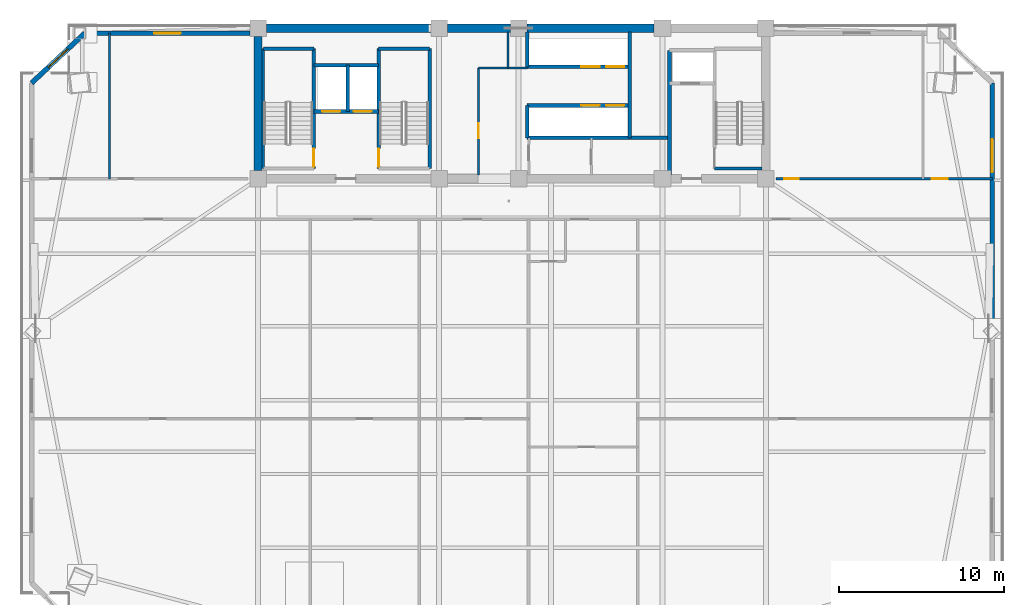
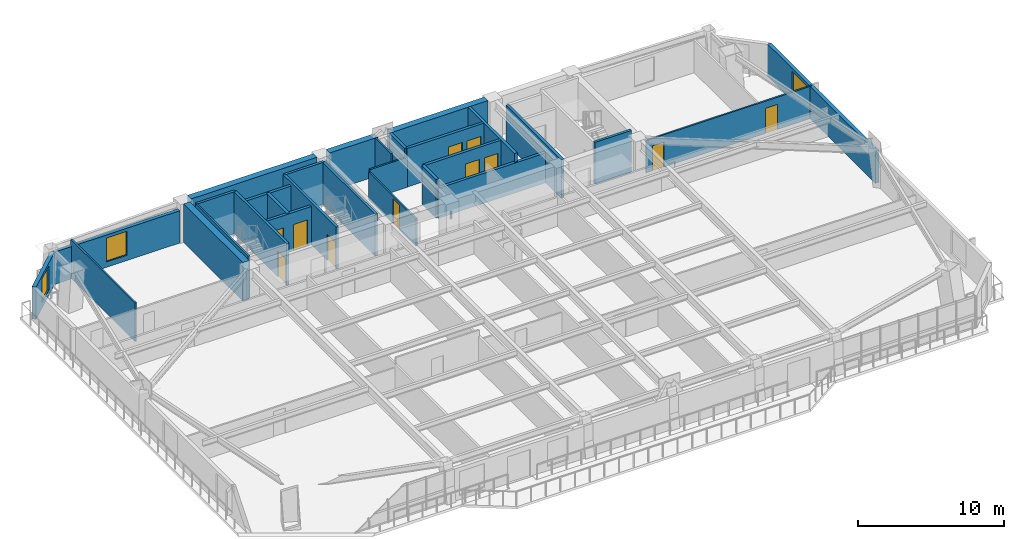
# One storey, part 9 of 15: 29 walls, 11 doors, 3 windows, 14 openings.
"""IFC4 building model written with IfcOpenShell, lengths in metres."""

from ifc_helpers import new_model, si_unit, direction, frame, frame_2d, origin, place, context, subcontext, project, spatial, rectangle, extrude, source, transform, mapped, material, layer, layer_set, type_object, element, fill, save


model = new_model("IFC4")

# Units and contexts
model_context = context("Model", 3, precision=1e-05, world=origin(), true_north=direction((0.0, 1.0)))
body_context = subcontext(model_context, "Body", "Model", "MODEL_VIEW")
ifc_project = project(units=[si_unit("LENGTHUNIT", "METRE"), si_unit("AREAUNIT", "SQUARE_METRE"), si_unit("VOLUMEUNIT", "CUBIC_METRE"), si_unit("PLANEANGLEUNIT", "RADIAN"), si_unit("MASSUNIT", "GRAM", prefix="KILO")], contexts=[model_context])

# Site, building, storey
site_placement = place(None, origin())
site = spatial("IfcSite", under=ifc_project, at=site_placement, CompositionType="ELEMENT")
building_placement = place(site_placement, origin())
building = spatial("IfcBuilding", under=site, at=building_placement, Name="Giltprow Tower", CompositionType="ELEMENT")
storey_placement = place(building_placement, frame((0.0, 0.0, 187.699951171875)))
storey = spatial("IfcBuildingStorey", under=building, at=storey_placement, Name="L47", CompositionType="ELEMENT", Elevation=187.699951171875)

# Wall, opening, window
ifc_material_1 = material(Name="Precast concrete C40", Category="concrete")
ifc_layer_1 = layer(ifc_material_1, 0.300048828125, Name="Precast concrete C40")
ifc_layer_set_1 = layer_set([ifc_layer_1], Name="Precast concrete C40")
wall_type_1 = type_object("IfcWallType", Name="EW-NOTCH-CHAMFER-300", PredefinedType="SOLIDWALL", material=ifc_layer_set_1)
wall_1_placement = place(storey_placement, frame((9.364990234375, 46.25, 0.0), z_axis=(0.0, 0.0, 1.0), x_axis=(-0.72945417668, -0.684029680733, 0.0)))
wall_1 = element("IfcWall", 1, at=wall_1_placement, inside=storey, type_object=wall_type_1, Name="L47 Corner Notch Wall NW", PredefinedType="SOLIDWALL", context=body_context, shape_type="SweptSolid", body=[
    extrude(rectangle(XDim=4.40185546875, YDim=0.300048828125, at=frame_2d((2.200927734375, 0.0))), origin(), (0.0, 0.0, 1.0), 2.699951171875),
])
opening_1_placement = place(wall_1_placement, frame((1.40087890625, 0.0, 0.449951171875)))
opening_1 = element("IfcOpeningElement", 2, at=opening_1_placement, cuts=wall_1, Name="Opening WN17", PredefinedType="OPENING", context=body_context, shape_type="SweptSolid", body=[
    extrude(rectangle(XDim=1.60009765625, YDim=2.0, at=frame_2d((0.800048828125, 1.0))), frame((0.0, 0.159912109375, 0.0), z_axis=(0.0, -1.0, 0.0), x_axis=(1.0, 0.0, 0.0)), (0.0, 0.0, 1.0), 0.320068359375),
])
ifc_material_2 = material(Name="Insulated glass", Category="glass")
window_type_1 = type_object("IfcWindowType", Name="WN-COR-1600x2000", PartitioningType="SINGLE_PANEL", PredefinedType="WINDOW", material=ifc_material_2)
shared_shape_1 = source(origin(), body_context, "Body", "SweptSolid", [
    extrude(rectangle(XDim=1.60009765625, YDim=2.0, at=frame_2d((0.800048828125, 1.0))), frame((0.0, 0.030029296875, 0.0), z_axis=(0.0, -1.0, 0.0), x_axis=(1.0, 0.0, 0.0)), (0.0, 0.0, 1.0), 0.06005859375),
])
window_1_placement = place(opening_1_placement, origin())
window_1 = element("IfcWindow", 3, at=window_1_placement, inside=storey, type_object=window_type_1, Name="L47 Corner Notch Window NW", OverallHeight=2.0, OverallWidth=1.60009765625, PartitioningType="SINGLE_PANEL", PredefinedType="WINDOW", context=body_context, shape_type="MappedRepresentation", body=[
    mapped(shared_shape_1, transform((0.0, 0.0, 0.0), x_axis=(1.0, 0.0, 0.0), y_axis=(0.0, 1.0, 0.0), z_axis=(0.0, 0.0, 1.0), scale=1.0)),
])
fill(opening_1, window_1)

ifc_layer_2 = layer(ifc_material_1, 0.280029296875, Name="Precast concrete C40")
ifc_layer_set_2 = layer_set([ifc_layer_2], Name="Precast concrete C40")
wall_type_2 = type_object("IfcWallType", Name="EW-TOW-BRONZE-280", PredefinedType="SOLIDWALL", material=ifc_layer_set_2)
wall_2_placement = place(storey_placement, frame((64.2470703125, 28.47705078125, 0.0), z_axis=(0.0, 0.0, 1.0), x_axis=(0.0, 1.0, 0.0)))
wall_2 = element("IfcWall", 4, at=wall_2_placement, inside=storey, type_object=wall_type_2, Name="L47 E Wing Masonry Wall 2", PredefinedType="SOLIDWALL", context=body_context, shape_type="SweptSolid", body=[
    extrude(rectangle(XDim=14.761962890625, YDim=0.280029296875, at=frame_2d((7.380859375, 0.0))), origin(), (0.0, 0.0, 1.0), 2.699951171875),
])
opening_2_placement = place(wall_2_placement, frame((9.3779296875, 0.0, 0.449951171875)))
opening_2 = element("IfcOpeningElement", 5, at=opening_2_placement, cuts=wall_2, Name="Opening WN21", PredefinedType="OPENING", context=body_context, shape_type="SweptSolid", body=[
    extrude(rectangle(XDim=2.0, YDim=2.0, at=frame_2d((1.0, 1.0))), frame((0.0, 0.14990234375, 0.0), z_axis=(0.0, -1.0, 0.0), x_axis=(1.0, 0.0, 0.0)), (0.0, 0.0, 1.0), 0.300048828125),
])
window_type_2 = type_object("IfcWindowType", Name="WN-HTL-2000x2000", PartitioningType="DOUBLE_PANEL_VERTICAL", PredefinedType="WINDOW", material=ifc_material_2)
shared_shape_2 = source(origin(), body_context, "Body", "SweptSolid", [
    extrude(rectangle(XDim=2.0, YDim=2.0, at=frame_2d((1.0, 1.0))), frame((0.0, 0.030029296875, 0.0), z_axis=(0.0, -1.0, 0.0), x_axis=(1.0, 0.0, 0.0)), (0.0, 0.0, 1.0), 0.06005859375),
])
window_2_placement = place(opening_2_placement, origin())
window_2 = element("IfcWindow", 6, at=window_2_placement, inside=storey, type_object=window_type_2, Name="L47 E Wing Window 2-1", OverallHeight=2.0, OverallWidth=2.0, PartitioningType="SINGLE_PANEL", PredefinedType="WINDOW", context=body_context, shape_type="MappedRepresentation", body=[
    mapped(shared_shape_2, transform((0.0, 0.0, 0.0), x_axis=(1.0, 0.0, 0.0), y_axis=(0.0, 1.0, 0.0), z_axis=(0.0, 0.0, 1.0), scale=1.0)),
])
fill(opening_2, window_2)

wall_3_placement = place(storey_placement, frame((9.364990234375, 46.25, 0.0), z_axis=(0.0, 0.0, 1.0), x_axis=(1.0, 0.0, 0.0)))
wall_3 = element("IfcWall", 7, at=wall_3_placement, inside=storey, type_object=wall_type_2, Name="L47 North-West Wing Wall", PredefinedType="SOLIDWALL", context=body_context, shape_type="SweptSolid", body=[
    extrude(rectangle(XDim=9.985107421875, YDim=0.280029296875, at=frame_2d((4.99267578125, 0.0))), origin(), (0.0, 0.0, 1.0), 2.699951171875),
])
opening_3_placement = place(wall_3_placement, frame((4.193115234375, 0.0, 0.449951171875)))
opening_3 = element("IfcOpeningElement", 8, at=opening_3_placement, cuts=wall_3, Name="Opening WN17", PredefinedType="OPENING", context=body_context, shape_type="SweptSolid", body=[
    extrude(rectangle(XDim=1.60009765625, YDim=2.0, at=frame_2d((0.800048828125, 1.0))), frame((0.0, 0.14990234375, 0.0), z_axis=(0.0, -1.0, 0.0), x_axis=(1.0, 0.0, 0.0)), (0.0, 0.0, 1.0), 0.300048828125),
])
window_3_placement = place(opening_3_placement, origin())
window_3 = element("IfcWindow", 9, at=window_3_placement, inside=storey, type_object=window_type_1, Name="L47 North-West Window", OverallHeight=2.0, OverallWidth=1.60009765625, PartitioningType="SINGLE_PANEL", PredefinedType="WINDOW", context=body_context, shape_type="MappedRepresentation", body=[
    mapped(shared_shape_1, transform((0.0, 0.0, 0.0), x_axis=(1.0, 0.0, 0.0), y_axis=(0.0, 1.0, 0.0), z_axis=(0.0, 0.0, 1.0), scale=1.0)),
])
fill(opening_3, window_3)

# Wall, openings, doors
ifc_material_3 = material(Name="Concrete C40", Category="concrete")
ifc_layer_3 = layer(ifc_material_3, 0.219970703125, Name="Concrete C40")
ifc_layer_set_3 = layer_set([ifc_layer_3], Name="Concrete C40")
wall_type_3 = type_object("IfcWallType", Name="IW-SHAFT-220", PredefinedType="SOLIDWALL", material=ifc_layer_set_3)
wall_4_placement = place(storey_placement, frame((23.219970703125, 41.52001953125, 0.0), z_axis=(0.0, 0.0, 1.0), x_axis=(1.0, 0.0, 0.0)))
wall_4 = element("IfcWall", 10, at=wall_4_placement, inside=storey, type_object=wall_type_3, Name="L47 FFL1 and Service Lift Front Wall", PredefinedType="SOLIDWALL", context=body_context, shape_type="SweptSolid", body=[
    extrude(rectangle(XDim=3.919921875, YDim=0.219970703125, at=frame_2d((1.9599609375, 0.0))), origin(), (0.0, 0.0, 1.0), 3.219970703125),
])
opening_4_placement = place(wall_4_placement, frame((0.5, 0.0, 0.0)))
opening_4 = element("IfcOpeningElement", 11, at=opening_4_placement, cuts=wall_4, Name="Opening LD-11", PredefinedType="OPENING", context=body_context, shape_type="SweptSolid", body=[
    extrude(rectangle(XDim=1.10009765625, YDim=2.199951171875, at=frame_2d((0.550048828125, 1.10009765625))), frame((0.0, 0.119873046875, 0.0), z_axis=(0.0, -1.0, 0.0), x_axis=(1.0, 0.0, 0.0)), (0.0, 0.0, 1.0), 0.239990234375),
])
opening_5_placement = place(wall_4_placement, frame((2.39990234375, 0.0, 0.0)))
opening_5 = element("IfcOpeningElement", 12, at=opening_5_placement, cuts=wall_4, Name="Opening LD-11", PredefinedType="OPENING", context=body_context, shape_type="SweptSolid", body=[
    extrude(rectangle(XDim=1.10009765625, YDim=2.199951171875, at=frame_2d((0.550048828125, 1.10009765625))), frame((0.0, 0.119873046875, 0.0), z_axis=(0.0, -1.0, 0.0), x_axis=(1.0, 0.0, 0.0)), (0.0, 0.0, 1.0), 0.239990234375),
])
ifc_material_4 = material(Name="Stainless steel", Category="steel")
door_type_1 = type_object("IfcDoorType", Name="DR-LIFT-LD1100", OperationType="SLIDING_TO_LEFT", PredefinedType="DOOR", material=ifc_material_4)
shared_shape_3 = source(origin(), body_context, "Body", "SweptSolid", [
    extrude(rectangle(XDim=1.10009765625, YDim=2.199951171875, at=frame_2d((0.550048828125, 1.10009765625))), frame((0.0, 0.02490234375, 0.0), z_axis=(0.0, -1.0, 0.0), x_axis=(1.0, 0.0, 0.0)), (0.0, 0.0, 1.0), 0.050048828125),
])
door_1_placement = place(opening_4_placement, origin())
door_1 = element("IfcDoor", 13, at=door_1_placement, inside=storey, type_object=door_type_1, Name="L47 FFL1 Landing Door", OperationType="SLIDING_TO_LEFT", OverallHeight=2.199951171875, OverallWidth=1.10009765625, PredefinedType="DOOR", context=body_context, shape_type="MappedRepresentation", body=[
    mapped(shared_shape_3, transform((0.0, 0.0, 0.0), x_axis=(1.0, 0.0, 0.0), y_axis=(0.0, 1.0, 0.0), z_axis=(0.0, 0.0, 1.0), scale=1.0)),
])
fill(opening_4, door_1)
door_2_placement = place(opening_5_placement, origin())
door_2 = element("IfcDoor", 14, at=door_2_placement, inside=storey, type_object=door_type_1, Name="L47 SVL1 Landing Door", OperationType="SLIDING_TO_LEFT", OverallHeight=2.199951171875, OverallWidth=1.10009765625, PredefinedType="DOOR", context=body_context, shape_type="MappedRepresentation", body=[
    mapped(shared_shape_3, transform((0.0, 0.0, 0.0), x_axis=(1.0, 0.0, 0.0), y_axis=(0.0, 1.0, 0.0), z_axis=(0.0, 0.0, 1.0), scale=1.0)),
])
fill(opening_5, door_2)

# Walls
wall_5_placement = place(storey_placement, frame((25.260009765625, 41.52001953125, 0.0), z_axis=(0.0, 0.0, 1.0), x_axis=(0.0, 1.0, 0.0)))
element("IfcWall", 15, at=wall_5_placement, inside=storey, type_object=wall_type_3, Name="L47 FFL1-SVL1 Shaft Divider", PredefinedType="SOLIDWALL", context=body_context, shape_type="SweptSolid", body=[
    extrude(rectangle(XDim=2.800048828125, YDim=0.219970703125, at=frame_2d((1.39990234375, 0.0))), origin(), (0.0, 0.0, 1.0), 3.219970703125),
])
wall_6_placement = place(storey_placement, frame((23.219970703125, 44.320068359375, 0.0), z_axis=(0.0, 0.0, 1.0), x_axis=(1.0, 0.0, 0.0)))
element("IfcWall", 16, at=wall_6_placement, inside=storey, type_object=wall_type_3, Name="L47 FFL1-SVL1 Back Shaft Wall", PredefinedType="SOLIDWALL", context=body_context, shape_type="SweptSolid", body=[
    extrude(rectangle(XDim=3.919921875, YDim=0.219970703125, at=frame_2d((1.9599609375, 0.0))), origin(), (0.0, 0.0, 1.0), 3.219970703125),
])
wall_7_placement = place(storey_placement, frame((44.719970703125, 37.679931640625, 0.0), z_axis=(0.0, 0.0, 1.0), x_axis=(0.0, 1.0, 0.0)))
element("IfcWall", 17, at=wall_7_placement, inside=storey, type_object=wall_type_3, Name="L47 East Firefighting Lobby West Wall", PredefinedType="SOLIDWALL", context=body_context, shape_type="SweptSolid", body=[
    extrude(rectangle(XDim=7.5400390625, YDim=0.219970703125, at=frame_2d((3.77001953125, 0.0))), origin(), (0.0, 0.0, 1.0), 3.219970703125),
])

# Wall, openings, doors
wall_8_placement = place(storey_placement, frame((36.1201171875, 44.219970703125, 0.0), z_axis=(0.0, 0.0, 1.0), x_axis=(1.0, 0.0, 0.0)))
wall_8 = element("IfcWall", 18, at=wall_8_placement, inside=storey, type_object=wall_type_3, Name="L47 Mid-Rise Lift Shaft Front Wall N", PredefinedType="SOLIDWALL", context=body_context, shape_type="SweptSolid", body=[
    extrude(rectangle(XDim=6.199951171875, YDim=0.219970703125, at=frame_2d((3.10009765625, 0.0))), origin(), (0.0, 0.0, 1.0), 3.219970703125),
])
opening_6_placement = place(wall_8_placement, frame((3.280029296875, 0.0, 0.0)))
opening_6 = element("IfcOpeningElement", 19, at=opening_6_placement, cuts=wall_8, Name="Opening LD-11", PredefinedType="OPENING", context=body_context, shape_type="SweptSolid", body=[
    extrude(rectangle(XDim=1.10009765625, YDim=2.199951171875, at=frame_2d((0.550048828125, 1.10009765625))), frame((0.0, 0.119873046875, 0.0), z_axis=(0.0, -1.0, 0.0), x_axis=(1.0, 0.0, 0.0)), (0.0, 0.0, 1.0), 0.239990234375),
])
opening_7_placement = place(wall_8_placement, frame((4.77001953125, 0.0, 0.0)))
opening_7 = element("IfcOpeningElement", 20, at=opening_7_placement, cuts=wall_8, Name="Opening LD-11", PredefinedType="OPENING", context=body_context, shape_type="SweptSolid", body=[
    extrude(rectangle(XDim=1.10009765625, YDim=2.199951171875, at=frame_2d((0.550048828125, 1.10009765625))), frame((0.0, 0.119873046875, 0.0), z_axis=(0.0, -1.0, 0.0), x_axis=(1.0, 0.0, 0.0)), (0.0, 0.0, 1.0), 0.239990234375),
])
door_3_placement = place(opening_6_placement, origin())
door_3 = element("IfcDoor", 21, at=door_3_placement, inside=storey, type_object=door_type_1, Name="L47 PL-M1 Landing Door", OperationType="SLIDING_TO_LEFT", OverallHeight=2.199951171875, OverallWidth=1.10009765625, PredefinedType="DOOR", context=body_context, shape_type="MappedRepresentation", body=[
    mapped(shared_shape_3, transform((0.0, 0.0, 0.0), x_axis=(1.0, 0.0, 0.0), y_axis=(0.0, 1.0, 0.0), z_axis=(0.0, 0.0, 1.0), scale=1.0)),
])
fill(opening_6, door_3)
door_4_placement = place(opening_7_placement, origin())
door_4 = element("IfcDoor", 22, at=door_4_placement, inside=storey, type_object=door_type_1, Name="L47 PL-M2 Landing Door", OperationType="SLIDING_TO_LEFT", OverallHeight=2.199951171875, OverallWidth=1.10009765625, PredefinedType="DOOR", context=body_context, shape_type="MappedRepresentation", body=[
    mapped(shared_shape_3, transform((0.0, 0.0, 0.0), x_axis=(1.0, 0.0, 0.0), y_axis=(0.0, 1.0, 0.0), z_axis=(0.0, 0.0, 1.0), scale=1.0)),
])
fill(opening_7, door_4)

wall_9_placement = place(storey_placement, frame((36.1201171875, 41.8798828125, 0.0), z_axis=(0.0, 0.0, 1.0), x_axis=(1.0, 0.0, 0.0)))
wall_9 = element("IfcWall", 23, at=wall_9_placement, inside=storey, type_object=wall_type_3, Name="L47 Mid-Rise Lift Shaft Front Wall S", PredefinedType="SOLIDWALL", context=body_context, shape_type="SweptSolid", body=[
    extrude(rectangle(XDim=6.199951171875, YDim=0.219970703125, at=frame_2d((3.10009765625, 0.0))), origin(), (0.0, 0.0, 1.0), 3.219970703125),
])
opening_8_placement = place(wall_9_placement, frame((3.280029296875, 0.0, 0.0)))
opening_8 = element("IfcOpeningElement", 24, at=opening_8_placement, cuts=wall_9, Name="Opening LD-11", PredefinedType="OPENING", context=body_context, shape_type="SweptSolid", body=[
    extrude(rectangle(XDim=1.10009765625, YDim=2.199951171875, at=frame_2d((0.550048828125, 1.10009765625))), frame((0.0, 0.119873046875, 0.0), z_axis=(0.0, -1.0, 0.0), x_axis=(1.0, 0.0, 0.0)), (0.0, 0.0, 1.0), 0.239990234375),
])
opening_9_placement = place(wall_9_placement, frame((4.77001953125, 0.0, 0.0)))
opening_9 = element("IfcOpeningElement", 25, at=opening_9_placement, cuts=wall_9, Name="Opening LD-11", PredefinedType="OPENING", context=body_context, shape_type="SweptSolid", body=[
    extrude(rectangle(XDim=1.10009765625, YDim=2.199951171875, at=frame_2d((0.550048828125, 1.10009765625))), frame((0.0, 0.119873046875, 0.0), z_axis=(0.0, -1.0, 0.0), x_axis=(1.0, 0.0, 0.0)), (0.0, 0.0, 1.0), 0.239990234375),
])
door_5_placement = place(opening_8_placement, origin())
door_5 = element("IfcDoor", 26, at=door_5_placement, inside=storey, type_object=door_type_1, Name="L47 PL-M3 Landing Door", OperationType="SLIDING_TO_LEFT", OverallHeight=2.199951171875, OverallWidth=1.10009765625, PredefinedType="DOOR", context=body_context, shape_type="MappedRepresentation", body=[
    mapped(shared_shape_3, transform((0.0, 0.0, 0.0), x_axis=(1.0, 0.0, 0.0), y_axis=(0.0, 1.0, 0.0), z_axis=(0.0, 0.0, 1.0), scale=1.0)),
])
fill(opening_8, door_5)
door_6_placement = place(opening_9_placement, origin())
door_6 = element("IfcDoor", 27, at=door_6_placement, inside=storey, type_object=door_type_1, Name="L47 PL-M4 Landing Door", OperationType="SLIDING_TO_LEFT", OverallHeight=2.199951171875, OverallWidth=1.10009765625, PredefinedType="DOOR", context=body_context, shape_type="MappedRepresentation", body=[
    mapped(shared_shape_3, transform((0.0, 0.0, 0.0), x_axis=(1.0, 0.0, 0.0), y_axis=(0.0, 1.0, 0.0), z_axis=(0.0, 0.0, 1.0), scale=1.0)),
])
fill(opening_9, door_6)

# Walls
wall_10_placement = place(storey_placement, frame((36.1201171875, 39.919921875, 0.0), z_axis=(0.0, 0.0, 1.0), x_axis=(1.0, 0.0, 0.0)))
element("IfcWall", 28, at=wall_10_placement, inside=storey, type_object=wall_type_3, Name="L47 Mid-Rise South Lift Back Wall", PredefinedType="SOLIDWALL", context=body_context, shape_type="SweptSolid", body=[
    extrude(rectangle(XDim=8.599853515625, YDim=0.219970703125, at=frame_2d((4.2998046875, 0.0))), origin(), (0.0, 0.0, 1.0), 2.505126953125),
])
wall_11_placement = place(storey_placement, frame((42.320068359375, 39.919921875, 0.0), z_axis=(0.0, 0.0, 1.0), x_axis=(0.0, 1.0, 0.0)))
element("IfcWall", 29, at=wall_11_placement, inside=storey, type_object=wall_type_3, Name="L47 Mid-Rise Lift Bank East Closure", PredefinedType="SOLIDWALL", context=body_context, shape_type="SweptSolid", body=[
    extrude(rectangle(XDim=6.400146484375, YDim=0.219970703125, at=frame_2d((3.2001953125, 0.0))), origin(), (0.0, 0.0, 1.0), 3.219970703125),
])
wall_12_placement = place(storey_placement, frame((36.1201171875, 39.919921875, 0.0), z_axis=(0.0, 0.0, 1.0), x_axis=(0.0, 1.0, 0.0)))
element("IfcWall", 30, at=wall_12_placement, inside=storey, type_object=wall_type_3, Name="L47 Mid-Rise South Lift West Closure", PredefinedType="SOLIDWALL", context=body_context, shape_type="SweptSolid", body=[
    extrude(rectangle(XDim=1.9599609375, YDim=0.219970703125, at=frame_2d((0.97998046875, 0.0))), origin(), (0.0, 0.0, 1.0), 3.219970703125),
])
wall_13_placement = place(storey_placement, frame((36.1201171875, 44.219970703125, 0.0), z_axis=(0.0, 0.0, 1.0), x_axis=(0.0, 1.0, 0.0)))
element("IfcWall", 31, at=wall_13_placement, inside=storey, type_object=wall_type_3, Name="L47 Mid-Rise North Lift West Closure", PredefinedType="SOLIDWALL", context=body_context, shape_type="SweptSolid", body=[
    extrude(rectangle(XDim=2.10009765625, YDim=0.219970703125, at=frame_2d((1.050048828125, 0.0))), origin(), (0.0, 0.0, 1.0), 3.219970703125),
])
ifc_material_5 = material(Name="Concrete C45", Category="concrete")
ifc_layer_4 = layer(ifc_material_5, 0.139892578125, Name="Concrete C45")
ifc_layer_set_4 = layer_set([ifc_layer_4], Name="Concrete C45")
wall_type_4 = type_object("IfcWallType", Name="IW-STAIR-140", PredefinedType="SOLIDWALL", material=ifc_layer_set_4)
wall_14_placement = place(storey_placement, frame((20.169921875, 38.070068359375, 0.0), z_axis=(0.0, 0.0, 1.0), x_axis=(0.0, 1.0, 0.0)))
element("IfcWall", 32, at=wall_14_placement, inside=storey, type_object=wall_type_4, Name="L47 Stair ST-1 West Bearing Wall", PredefinedType="SOLIDWALL", context=body_context, shape_type="SweptSolid", body=[
    extrude(rectangle(XDim=7.25, YDim=0.139892578125, at=frame_2d((3.625, 0.0))), origin(), (0.0, 0.0, 1.0), 3.5),
])

# Wall, opening, door
ifc_layer_5 = layer(ifc_material_3, 0.199951171875, Name="Concrete C40")
ifc_layer_set_5 = layer_set([ifc_layer_5], Name="Concrete C40")
wall_type_5 = type_object("IfcWallType", Name="IW-STAIR-200", PredefinedType="SOLIDWALL", material=ifc_layer_set_5)
wall_15_placement = place(storey_placement, frame((23.219970703125, 38.070068359375, 0.0), z_axis=(0.0, 0.0, 1.0), x_axis=(0.0, 1.0, 0.0)))
wall_15 = element("IfcWall", 33, at=wall_15_placement, inside=storey, type_object=wall_type_5, Name="L47 Stair ST-1 East Bearing Wall", PredefinedType="SOLIDWALL", context=body_context, shape_type="SweptSolid", body=[
    extrude(rectangle(XDim=7.25, YDim=0.199951171875, at=frame_2d((3.625, 0.0))), origin(), (0.0, 0.0, 1.0), 3.5),
])
opening_10_placement = place(wall_15_placement, frame((0.110107421875, 0.0, 0.0)))
opening_10 = element("IfcOpeningElement", 34, at=opening_10_placement, cuts=wall_15, Name="Opening ID33", PredefinedType="OPENING", context=body_context, shape_type="SweptSolid", body=[
    extrude(rectangle(XDim=1.10009765625, YDim=2.14990234375, at=frame_2d((0.550048828125, 1.074951171875))), frame((0.0, 0.10986328125, 0.0), z_axis=(0.0, -1.0, 0.0), x_axis=(1.0, 0.0, 0.0)), (0.0, 0.0, 1.0), 0.219970703125),
])
ifc_material_6 = material(Name="Steel fire leaf", Category="steel")
door_type_2 = type_object("IfcDoorType", Name="DR-STAIR-1100", OperationType="SINGLE_SWING_LEFT", PredefinedType="DOOR", material=ifc_material_6)
shared_shape_4 = source(origin(), body_context, "Body", "SweptSolid", [
    extrude(rectangle(XDim=1.10009765625, YDim=2.14990234375, at=frame_2d((0.550048828125, 1.074951171875))), frame((0.0, 0.02490234375, 0.0), z_axis=(0.0, -1.0, 0.0), x_axis=(1.0, 0.0, 0.0)), (0.0, 0.0, 1.0), 0.050048828125),
])
door_7_placement = place(opening_10_placement, origin())
door_7 = element("IfcDoor", 35, at=door_7_placement, inside=storey, type_object=door_type_2, Name="L47 Stair ST-1 Fire Door", OperationType="SINGLE_SWING_RIGHT", OverallHeight=2.14990234375, OverallWidth=1.10009765625, PredefinedType="DOOR", context=body_context, shape_type="MappedRepresentation", body=[
    mapped(shared_shape_4, transform((0.0, 0.0, 0.0), x_axis=(1.0, 0.0, 0.0), y_axis=(0.0, 1.0, 0.0), z_axis=(0.0, 0.0, 1.0), scale=1.0)),
])
fill(opening_10, door_7)

# Wall
wall_16_placement = place(storey_placement, frame((20.169921875, 45.320068359375, 0.0), z_axis=(0.0, 0.0, 1.0), x_axis=(1.0, 0.0, 0.0)))
element("IfcWall", 36, at=wall_16_placement, inside=storey, type_object=wall_type_5, Name="L47 Stair ST-1 North Bearing Wall", PredefinedType="SOLIDWALL", context=body_context, shape_type="SweptSolid", body=[
    extrude(rectangle(XDim=3.050048828125, YDim=0.199951171875, at=frame_2d((1.52490234375, 0.0))), origin(), (0.0, 0.0, 1.0), 3.5),
])

# Wall, opening, door
wall_17_placement = place(storey_placement, frame((27.139892578125, 38.070068359375, 0.0), z_axis=(0.0, 0.0, 1.0), x_axis=(0.0, 1.0, 0.0)))
wall_17 = element("IfcWall", 37, at=wall_17_placement, inside=storey, type_object=wall_type_5, Name="L47 Stair ST-2 West Bearing Wall", PredefinedType="SOLIDWALL", context=body_context, shape_type="SweptSolid", body=[
    extrude(rectangle(XDim=7.25, YDim=0.199951171875, at=frame_2d((3.625, 0.0))), origin(), (0.0, 0.0, 1.0), 3.5),
])
opening_11_placement = place(wall_17_placement, frame((0.110107421875, 0.0, 0.0)))
opening_11 = element("IfcOpeningElement", 38, at=opening_11_placement, cuts=wall_17, Name="Opening ID33", PredefinedType="OPENING", context=body_context, shape_type="SweptSolid", body=[
    extrude(rectangle(XDim=1.10009765625, YDim=2.14990234375, at=frame_2d((0.550048828125, 1.074951171875))), frame((0.0, 0.10986328125, 0.0), z_axis=(0.0, -1.0, 0.0), x_axis=(1.0, 0.0, 0.0)), (0.0, 0.0, 1.0), 0.219970703125),
])
door_8_placement = place(opening_11_placement, origin())
door_8 = element("IfcDoor", 39, at=door_8_placement, inside=storey, type_object=door_type_2, Name="L47 Stair ST-2 Fire Door", OperationType="SINGLE_SWING_LEFT", OverallHeight=2.14990234375, OverallWidth=1.10009765625, PredefinedType="DOOR", context=body_context, shape_type="MappedRepresentation", body=[
    mapped(shared_shape_4, transform((0.0, 0.0, 0.0), x_axis=(1.0, 0.0, 0.0), y_axis=(0.0, 1.0, 0.0), z_axis=(0.0, 0.0, 1.0), scale=1.0)),
])
fill(opening_11, door_8)

# Walls
wall_18_placement = place(storey_placement, frame((30.219970703125, 38.070068359375, 0.0), z_axis=(0.0, 0.0, 1.0), x_axis=(0.0, 1.0, 0.0)))
element("IfcWall", 40, at=wall_18_placement, inside=storey, type_object=wall_type_5, Name="L47 Stair ST-2 East Bearing Wall", PredefinedType="SOLIDWALL", context=body_context, shape_type="SweptSolid", body=[
    extrude(rectangle(XDim=7.25, YDim=0.199951171875, at=frame_2d((3.625, 0.0))), origin(), (0.0, 0.0, 1.0), 3.5),
])
wall_19_placement = place(storey_placement, frame((27.139892578125, 45.320068359375, 0.0), z_axis=(0.0, 0.0, 1.0), x_axis=(1.0, 0.0, 0.0)))
element("IfcWall", 41, at=wall_19_placement, inside=storey, type_object=wall_type_5, Name="L47 Stair ST-2 North Bearing Wall", PredefinedType="SOLIDWALL", context=body_context, shape_type="SweptSolid", body=[
    extrude(rectangle(XDim=3.080078125, YDim=0.199951171875, at=frame_2d((1.5400390625, 0.0))), origin(), (0.0, 0.0, 1.0), 3.5),
])
wall_20_placement = place(storey_placement, frame((47.43994140625, 38.070068359375, 0.0), z_axis=(0.0, 0.0, 1.0), x_axis=(1.0, 0.0, 0.0)))
element("IfcWall", 42, at=wall_20_placement, inside=storey, type_object=wall_type_5, Name="L47 Stair ST-3 South Bearing Wall", PredefinedType="SOLIDWALL", context=body_context, shape_type="SweptSolid", body=[
    extrude(rectangle(XDim=2.880126953125, YDim=0.199951171875, at=frame_2d((1.43994140625, 0.0))), origin(), (0.0, 0.0, 1.0), 3.5),
])

# Wall, opening, door
ifc_material_7 = material(Name="Concrete C30", Category="concrete")
ifc_layer_6 = layer(ifc_material_7, 0.1298828125, Name="Concrete C30")
ifc_layer_set_6 = layer_set([ifc_layer_6], Name="Concrete C30")
wall_type_6 = type_object("IfcWallType", Name="IW-WET-130", PredefinedType="PARTITIONING", material=ifc_layer_set_6)
wall_21_placement = place(storey_placement, frame((33.179931640625, 37.679931640625, 0.0), z_axis=(0.0, 0.0, 1.0), x_axis=(0.0, 1.0, 0.0)))
wall_21 = element("IfcWall", 43, at=wall_21_placement, inside=storey, type_object=wall_type_6, Name="L47 Reclaimed Core Room East Wall", PredefinedType="PARTITIONING", context=body_context, shape_type="SweptSolid", body=[
    extrude(rectangle(XDim=6.469970703125, YDim=0.1298828125, at=frame_2d((3.23486328125, 0.0))), origin(), (0.0, 0.0, 1.0), 2.304931640625),
])
opening_12_placement = place(wall_21_placement, frame((2.219970703125, 0.0, 0.0)))
opening_12 = element("IfcOpeningElement", 44, at=opening_12_placement, cuts=wall_21, Name="Opening ID35", PredefinedType="OPENING", context=body_context, shape_type="SweptSolid", body=[
    extrude(rectangle(XDim=0.89990234375, YDim=2.10009765625, at=frame_2d((0.449951171875, 1.050048828125))), frame((0.0, 0.074951171875, 0.0), z_axis=(0.0, -1.0, 0.0), x_axis=(1.0, 0.0, 0.0)), (0.0, 0.0, 1.0), 0.14990234375),
])
door_type_3 = type_object("IfcDoorType", Name="DR-SHAFT-900", OperationType="SINGLE_SWING_LEFT", PredefinedType="DOOR", material=ifc_material_6)
shared_shape_5 = source(origin(), body_context, "Body", "SweptSolid", [
    extrude(rectangle(XDim=0.89990234375, YDim=2.10009765625, at=frame_2d((0.449951171875, 1.050048828125))), frame((0.0, 0.02490234375, 0.0), z_axis=(0.0, -1.0, 0.0), x_axis=(1.0, 0.0, 0.0)), (0.0, 0.0, 1.0), 0.050048828125),
])
door_9_placement = place(opening_12_placement, origin())
door_9 = element("IfcDoor", 45, at=door_9_placement, inside=storey, type_object=door_type_3, Name="L47 Housekeeping and Linen Suite Door", OperationType="SINGLE_SWING_LEFT", OverallHeight=2.10009765625, OverallWidth=0.89990234375, PredefinedType="DOOR", context=body_context, shape_type="MappedRepresentation", body=[
    mapped(shared_shape_5, transform((0.0, 0.0, 0.0), x_axis=(1.0, 0.0, 0.0), y_axis=(0.0, 1.0, 0.0), z_axis=(0.0, 0.0, 1.0), scale=1.0)),
])
fill(opening_12, door_9)

# Walls
wall_22_placement = place(storey_placement, frame((34.949951171875, 44.14990234375, 0.0), z_axis=(0.0, 0.0, 1.0), x_axis=(0.0, 1.0, 0.0)))
element("IfcWall", 46, at=wall_22_placement, inside=storey, type_object=wall_type_6, Name="L47 Reclaimed North Pocket East Wall", PredefinedType="PARTITIONING", context=body_context, shape_type="SweptSolid", body=[
    extrude(rectangle(XDim=2.170166015625, YDim=0.1298828125, at=frame_2d((1.0849609375, 0.0))), origin(), (0.0, 0.0, 1.0), 3.219970703125),
])
wall_23_placement = place(storey_placement, frame((33.179931640625, 44.14990234375, 0.0), z_axis=(0.0, 0.0, 1.0), x_axis=(1.0, 0.0, 0.0)))
element("IfcWall", 47, at=wall_23_placement, inside=storey, type_object=wall_type_6, Name="L47 Reclaimed North Pocket South Wall", PredefinedType="PARTITIONING", context=body_context, shape_type="SweptSolid", body=[
    extrude(rectangle(XDim=2.969970703125, YDim=0.1298828125, at=frame_2d((1.48486328125, 0.0))), origin(), (0.0, 0.0, 1.0), 2.505126953125),
])
wall_24_placement = place(storey_placement, frame((10.860107421875, 37.449951171875, 0.0), z_axis=(0.0, 0.0, 1.0), x_axis=(0.0, 1.0, 0.0)))
element("IfcWall", 48, at=wall_24_placement, inside=storey, type_object=wall_type_6, Name="L47 NW Wing Divider", PredefinedType="PARTITIONING", context=body_context, shape_type="SweptSolid", body=[
    extrude(rectangle(XDim=8.800048828125, YDim=0.1298828125, at=frame_2d((4.39990234375, 0.0))), origin(), (0.0, 0.0, 1.0), 3.219970703125),
])

# Wall, openings, doors
wall_25_placement = place(storey_placement, frame((51.14990234375, 37.449951171875, 0.0), z_axis=(0.0, 0.0, 1.0), x_axis=(1.0, 0.0, 0.0)))
wall_25 = element("IfcWall", 49, at=wall_25_placement, inside=storey, type_object=wall_type_6, Name="L47 NE Wing South Wall", PredefinedType="PARTITIONING", context=body_context, shape_type="SweptSolid", body=[
    extrude(rectangle(XDim=13.09716796875, YDim=0.1298828125, at=frame_2d((6.548583984375, 0.0))), origin(), (0.0, 0.0, 1.0), 2.705078125),
])
opening_13_placement = place(wall_25_placement, frame((0.5, 0.0, 0.0)))
opening_13 = element("IfcOpeningElement", 50, at=opening_13_placement, cuts=wall_25, Name="Opening ID15", PredefinedType="OPENING", context=body_context, shape_type="SweptSolid", body=[
    extrude(rectangle(XDim=0.89990234375, YDim=2.10009765625, at=frame_2d((0.449951171875, 1.050048828125))), frame((0.0, 0.074951171875, 0.0), z_axis=(0.0, -1.0, 0.0), x_axis=(1.0, 0.0, 0.0)), (0.0, 0.0, 1.0), 0.14990234375),
])
opening_14_placement = place(wall_25_placement, frame((9.443115234375, 0.0, 0.0)))
opening_14 = element("IfcOpeningElement", 51, at=opening_14_placement, cuts=wall_25, Name="Opening ID11", PredefinedType="OPENING", context=body_context, shape_type="SweptSolid", body=[
    extrude(rectangle(XDim=0.949951171875, YDim=2.10009765625, at=frame_2d((0.47509765625, 1.050048828125))), frame((0.0, 0.074951171875, 0.0), z_axis=(0.0, -1.0, 0.0), x_axis=(1.0, 0.0, 0.0)), (0.0, 0.0, 1.0), 0.14990234375),
])
ifc_material_8 = material(Name="Engineered timber", Category="wood")
door_type_4 = type_object("IfcDoorType", Name="DR-WC-900", OperationType="SINGLE_SWING_LEFT", PredefinedType="DOOR", material=ifc_material_8)
door_10_placement = place(opening_13_placement, origin())
door_10 = element("IfcDoor", 52, at=door_10_placement, inside=storey, type_object=door_type_4, Name="L47 East Wing Washroom Door", OperationType="SINGLE_SWING_RIGHT", OverallHeight=2.10009765625, OverallWidth=0.89990234375, PredefinedType="DOOR", context=body_context, shape_type="MappedRepresentation", body=[
    mapped(shared_shape_5, transform((0.0, 0.0, 0.0), x_axis=(1.0, 0.0, 0.0), y_axis=(0.0, 1.0, 0.0), z_axis=(0.0, 0.0, 1.0), scale=1.0)),
])
fill(opening_13, door_10)
door_type_5 = type_object("IfcDoorType", Name="DR-ROOM-950", OperationType="SINGLE_SWING_RIGHT", PredefinedType="DOOR", material=ifc_material_8)
shared_shape_6 = source(origin(), body_context, "Body", "SweptSolid", [
    extrude(rectangle(XDim=0.949951171875, YDim=2.10009765625, at=frame_2d((0.47509765625, 1.050048828125))), frame((0.0, 0.02490234375, 0.0), z_axis=(0.0, -1.0, 0.0), x_axis=(1.0, 0.0, 0.0)), (0.0, 0.0, 1.0), 0.050048828125),
])
door_11_placement = place(opening_14_placement, origin())
door_11 = element("IfcDoor", 53, at=door_11_placement, inside=storey, type_object=door_type_5, Name="L47 Hotel Floor Linen Store Door", OperationType="SINGLE_SWING_RIGHT", OverallHeight=2.10009765625, OverallWidth=0.949951171875, PredefinedType="DOOR", context=body_context, shape_type="MappedRepresentation", body=[
    mapped(shared_shape_6, transform((0.0, 0.0, 0.0), x_axis=(1.0, 0.0, 0.0), y_axis=(0.0, 1.0, 0.0), z_axis=(0.0, 0.0, 1.0), scale=1.0)),
])
fill(opening_14, door_11)

# Walls
ifc_material_9 = material(Name="Concrete C50", Category="concrete")
ifc_layer_7 = layer(ifc_material_9, 0.5, Name="Concrete C50")
ifc_layer_set_7 = layer_set([ifc_layer_7], Name="Concrete C50")
wall_type_7 = type_object("IfcWallType", Name="SW-EXT-500-C50", PredefinedType="SHEAR", material=ifc_layer_set_7)
wall_26_placement = place(storey_placement, frame((20.35009765625, 46.550048828125, 0.0), z_axis=(0.0, 0.0, 1.0), x_axis=(1.0, 0.0, 0.0)))
element("IfcWall", 54, at=wall_26_placement, inside=storey, type_object=wall_type_7, Name="L47 North Rear Core Shear Wall 1", PredefinedType="SHEAR", context=body_context, shape_type="SweptSolid", body=[
    extrude(rectangle(XDim=9.949951171875, YDim=0.5, at=frame_2d((4.97509765625, 0.0))), origin(), (0.0, 0.0, 1.0), 3.219970703125),
])
wall_27_placement = place(storey_placement, frame((31.300048828125, 46.550048828125, 0.0), z_axis=(0.0, 0.0, 1.0), x_axis=(1.0, 0.0, 0.0)))
element("IfcWall", 55, at=wall_27_placement, inside=storey, type_object=wall_type_7, Name="L47 North Rear Core Shear Wall 2", PredefinedType="SHEAR", context=body_context, shape_type="SweptSolid", body=[
    extrude(rectangle(XDim=3.800048828125, YDim=0.5, at=frame_2d((1.89990234375, 0.0))), origin(), (0.0, 0.0, 1.0), 3.219970703125),
])
wall_28_placement = place(storey_placement, frame((36.10009765625, 46.550048828125, 0.0), z_axis=(0.0, 0.0, 1.0), x_axis=(1.0, 0.0, 0.0)))
element("IfcWall", 56, at=wall_28_placement, inside=storey, type_object=wall_type_7, Name="L47 North Rear Core Shear Wall 3", PredefinedType="SHEAR", context=body_context, shape_type="SweptSolid", body=[
    extrude(rectangle(XDim=7.699951171875, YDim=0.5, at=frame_2d((3.85009765625, 0.0))), origin(), (0.0, 0.0, 1.0), 3.219970703125),
])
ifc_layer_8 = layer(ifc_material_9, 0.5, Name="Concrete C50")
ifc_layer_set_8 = layer_set([ifc_layer_8], Name="Concrete C50")
wall_type_8 = type_object("IfcWallType", Name="SW-INT-500-C50", PredefinedType="SHEAR", material=ifc_layer_set_8)
wall_29_placement = place(storey_placement, frame((19.85009765625, 37.949951171875, 0.0), z_axis=(0.0, 0.0, 1.0), x_axis=(0.0, 1.0, 0.0)))
element("IfcWall", 57, at=wall_29_placement, inside=storey, type_object=wall_type_8, Name="L47 W Rear Core Shear Wall", PredefinedType="SHEAR", context=body_context, shape_type="SweptSolid", body=[
    extrude(rectangle(XDim=8.10009765625, YDim=0.5, at=frame_2d((4.050048828125, 0.0))), origin(), (0.0, 0.0, 1.0), 3.219970703125),
])

save(model, "model.ifc")
